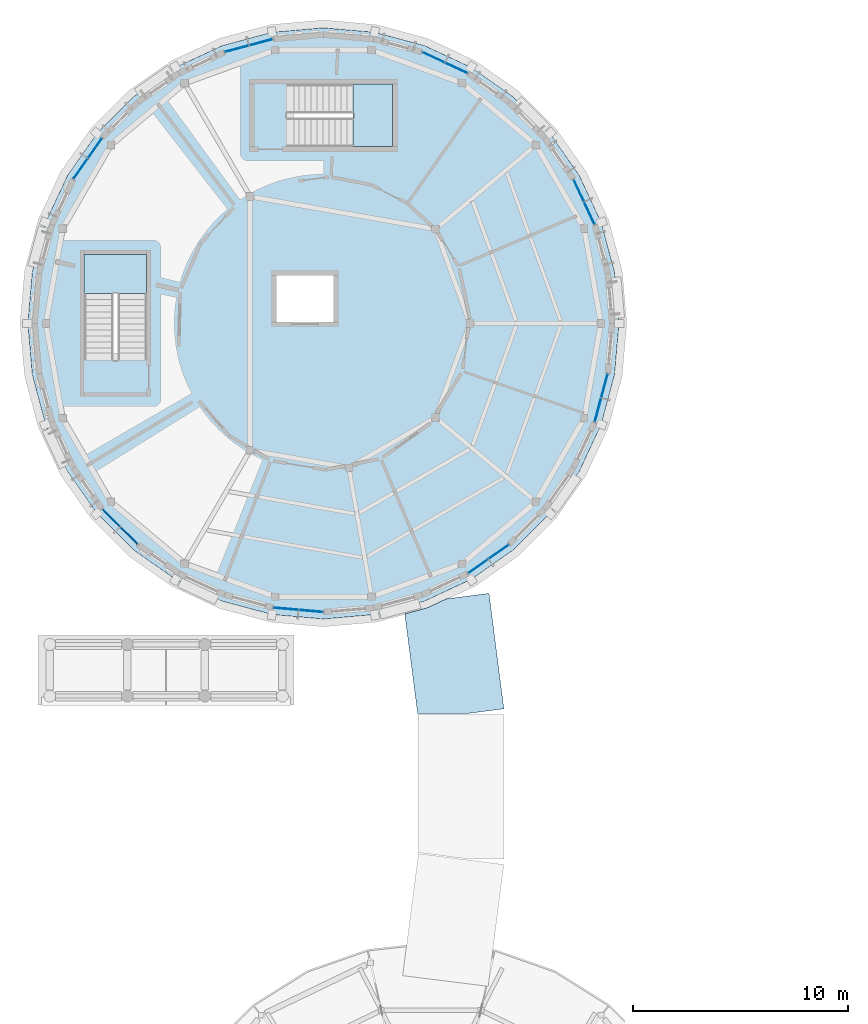
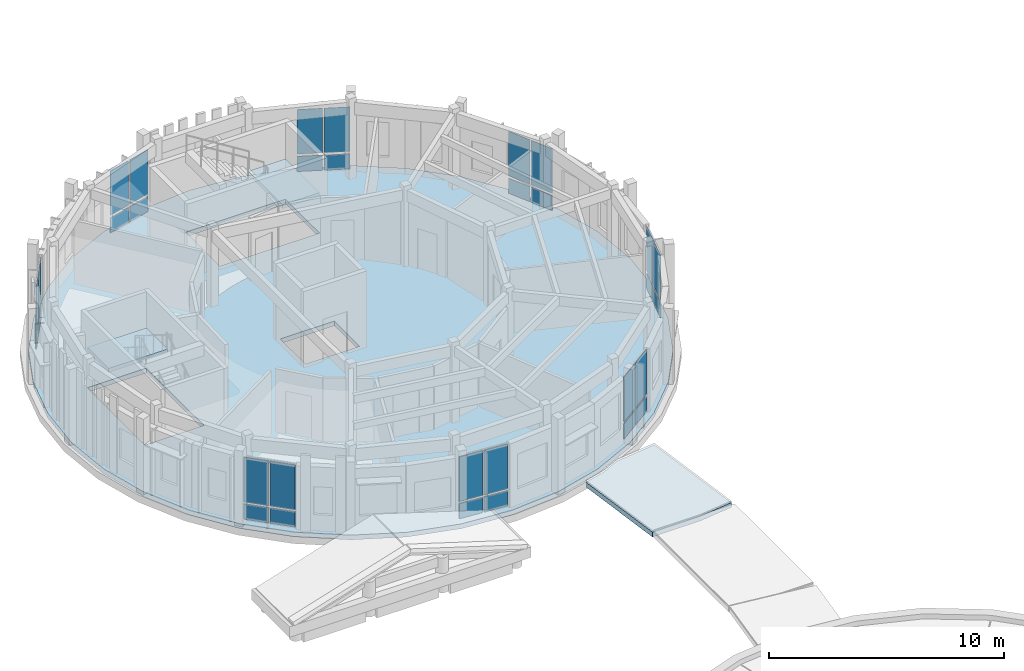
# One storey, part 23 of 58: 32 plates, 4 slabs, 10 elements without a shape of their own.
"""IFC4 building model written with IfcOpenShell, lengths in metres."""

from ifc_helpers import new_model, si_unit, direction, frame, origin, origin_2d, place, context, subcontext, project, spatial, polyline, rectangle, outline, extrude, material, layer, layer_set, type_object, element, aggregate, save


model = new_model("IFC4")

# Units and contexts
model_context = context("Model", 3, precision=1e-05, world=origin(), true_north=direction((0.0, 1.0)))
body_context = subcontext(model_context, "Body", "Model", "MODEL_VIEW")
ifc_project = project(units=[si_unit("LENGTHUNIT", "METRE"), si_unit("AREAUNIT", "SQUARE_METRE"), si_unit("VOLUMEUNIT", "CUBIC_METRE"), si_unit("PLANEANGLEUNIT", "RADIAN"), si_unit("MASSUNIT", "GRAM", prefix="KILO")], contexts=[model_context])

# Site, building, storey
site_placement = place(None, origin())
site = spatial("IfcSite", under=ifc_project, at=site_placement, CompositionType="ELEMENT")
building_placement = place(site_placement, origin())
building = spatial("IfcBuilding", under=site, at=building_placement, Name="Aldenvaro Health Centre", CompositionType="ELEMENT")
storey_placement = place(building_placement, frame((0.0, 0.0, 8.75)))
storey = spatial("IfcBuildingStorey", under=building, at=storey_placement, Name="L02", CompositionType="ELEMENT", Elevation=8.75)

# Curtain wall, plates
ifc_material_1 = material(Name="Anodised Aluminium 6063-T6", Category="aluminium")
ifc_layer_1 = layer(ifc_material_1, 0.195068359375, Name="Anodised Aluminium 6063-T6", Category="aluminium")
ifc_layer_set_1 = layer_set([ifc_layer_1], Name="Anodised Aluminium 6063-T6")
curtain_wall_type = type_object("IfcCurtainWallType", Name="CW-CLN-02", PredefinedType="NOTDEFINED", material=ifc_layer_set_1)
curtain_wall_1_placement = place(storey_placement, origin())
curtain_wall_1 = element("IfcCurtainWall", 1, at=curtain_wall_1_placement, inside=storey, type_object=curtain_wall_type, Name="D4 L02 curtain wall bay 02", PredefinedType="NOTDEFINED")
ifc_material_2 = material(Name="Low-E Double Glazing IGU", Category="glass")
ifc_layer_2 = layer(ifc_material_2, 0.028076171875, Name="Low-E Double Glazing IGU", Category="glass")
ifc_layer_set_2 = layer_set([ifc_layer_2], Name="Low-E Double Glazing IGU")
plate_type_1 = type_object("IfcPlateType", Name="CWP-IGU-28", PredefinedType="CURTAIN_PANEL", material=ifc_layer_set_2)
plate_1_placement = place(storey_placement, frame((31.544921875, 96.60888671875, 0.96044921875), z_axis=(0.0, 0.0, 1.0), x_axis=(-0.258621935517, -0.965978620089, 0.0)))
plate_1 = element("IfcPlate", 2, at=plate_1_placement, type_object=plate_type_1, Name="D4 L02 curtain wall bay 02 vision glazing 1", PredefinedType="CURTAIN_PANEL", context=body_context, shape_type="SweptSolid", body=[
    extrude(rectangle(XDim=1.097900390625, YDim=0.028076171875, at=origin_2d()), origin(), (0.0, 0.0, 1.0), 2.30908203125),
])
plate_2_placement = place(storey_placement, frame((31.242919921875, 95.48095703125, 0.96044921875), z_axis=(0.0, 0.0, 1.0), x_axis=(-0.258621935517, -0.965978620089, 0.0)))
plate_2 = element("IfcPlate", 3, at=plate_2_placement, type_object=plate_type_1, Name="D4 L02 curtain wall bay 02 vision glazing 2", PredefinedType="CURTAIN_PANEL", context=body_context, shape_type="SweptSolid", body=[
    extrude(rectangle(XDim=1.097900390625, YDim=0.028076171875, at=origin_2d()), origin(), (0.0, 0.0, 1.0), 2.30908203125),
])

curtain_wall_2_placement = place(storey_placement, origin())
curtain_wall_2 = element("IfcCurtainWall", 4, at=curtain_wall_2_placement, inside=storey, type_object=curtain_wall_type, Name="D4 L02 curtain wall bay 06", PredefinedType="NOTDEFINED")
plate_3_placement = place(storey_placement, frame((26.635009765625, 88.89990234375, 0.96044921875), z_axis=(0.0, 0.0, 1.0), x_axis=(-0.819050849853, -0.573720929857, 0.0)))
plate_3 = element("IfcPlate", 5, at=plate_3_placement, type_object=plate_type_1, Name="D4 L02 curtain wall bay 06 vision glazing 1", PredefinedType="CURTAIN_PANEL", context=body_context, shape_type="SweptSolid", body=[
    extrude(rectangle(XDim=1.097900390625, YDim=0.028076171875, at=origin_2d()), origin(), (0.0, 0.0, 1.0), 2.30908203125),
])
plate_4_placement = place(storey_placement, frame((25.677978515625, 88.22998046875, 0.96044921875), z_axis=(0.0, 0.0, 1.0), x_axis=(-0.819050849853, -0.573720929857, 0.0)))
plate_4 = element("IfcPlate", 6, at=plate_4_placement, type_object=plate_type_1, Name="D4 L02 curtain wall bay 06 vision glazing 2", PredefinedType="CURTAIN_PANEL", context=body_context, shape_type="SweptSolid", body=[
    extrude(rectangle(XDim=1.097900390625, YDim=0.028076171875, at=origin_2d()), origin(), (0.0, 0.0, 1.0), 2.30908203125),
])

curtain_wall_3_placement = place(storey_placement, origin())
curtain_wall_3 = element("IfcCurtainWall", 7, at=curtain_wall_3_placement, inside=storey, type_object=curtain_wall_type, Name="D4 L02 curtain wall bay 10", PredefinedType="NOTDEFINED")
plate_5_placement = place(storey_placement, frame((17.91796875, 86.15087890625, 0.96044921875), z_axis=(0.0, 0.0, 1.0), x_axis=(-0.996179299052, 0.087331575855, 0.0)))
plate_5 = element("IfcPlate", 8, at=plate_5_placement, type_object=plate_type_1, Name="D4 L02 curtain wall bay 10 vision glazing 1", PredefinedType="CURTAIN_PANEL", context=body_context, shape_type="SweptSolid", body=[
    extrude(rectangle(XDim=1.097900390625, YDim=0.028076171875, at=origin_2d()), origin(), (0.0, 0.0, 1.0), 2.30908203125),
])
plate_6_placement = place(storey_placement, frame((16.7548828125, 86.2529296875, 0.96044921875), z_axis=(0.0, 0.0, 1.0), x_axis=(-0.996179299052, 0.087331575855, 0.0)))
plate_6 = element("IfcPlate", 9, at=plate_6_placement, type_object=plate_type_1, Name="D4 L02 curtain wall bay 10 vision glazing 2", PredefinedType="CURTAIN_PANEL", context=body_context, shape_type="SweptSolid", body=[
    extrude(rectangle(XDim=1.097900390625, YDim=0.028076171875, at=origin_2d()), origin(), (0.0, 0.0, 1.0), 2.30908203125),
])

curtain_wall_4_placement = place(storey_placement, origin())
curtain_wall_4 = element("IfcCurtainWall", 10, at=curtain_wall_4_placement, inside=storey, type_object=curtain_wall_type, Name="D4 L02 curtain wall bay 14", PredefinedType="NOTDEFINED")
plate_7_placement = place(storey_placement, frame((9.47412109375, 89.64794921875, 0.96044921875), z_axis=(0.0, 0.0, 1.0), x_axis=(-0.707106781187, 0.707106781187, 0.0)))
plate_7 = element("IfcPlate", 11, at=plate_7_placement, type_object=plate_type_1, Name="D4 L02 curtain wall bay 14 vision glazing 1", PredefinedType="CURTAIN_PANEL", context=body_context, shape_type="SweptSolid", body=[
    extrude(rectangle(XDim=1.097900390625, YDim=0.028076171875, at=origin_2d()), origin(), (0.0, 0.0, 1.0), 2.30908203125),
])
plate_8_placement = place(storey_placement, frame((8.64794921875, 90.47412109375, 0.96044921875), z_axis=(0.0, 0.0, 1.0), x_axis=(-0.707106781187, 0.707106781187, 0.0)))
plate_8 = element("IfcPlate", 12, at=plate_8_placement, type_object=plate_type_1, Name="D4 L02 curtain wall bay 14 vision glazing 2", PredefinedType="CURTAIN_PANEL", context=body_context, shape_type="SweptSolid", body=[
    extrude(rectangle(XDim=1.097900390625, YDim=0.028076171875, at=origin_2d()), origin(), (0.0, 0.0, 1.0), 2.30908203125),
])

curtain_wall_5_placement = place(storey_placement, origin())
curtain_wall_5 = element("IfcCurtainWall", 13, at=curtain_wall_5_placement, inside=storey, type_object=curtain_wall_type, Name="D4 L02 curtain wall bay 22", PredefinedType="NOTDEFINED")
plate_9_placement = place(storey_placement, frame((7.22998046875, 106.677978515625, 0.96044921875), z_axis=(0.0, 0.0, 1.0), x_axis=(0.573720929857, 0.819050849853, 0.0)))
plate_9 = element("IfcPlate", 14, at=plate_9_placement, type_object=plate_type_1, Name="D4 L02 curtain wall bay 22 vision glazing 1", PredefinedType="CURTAIN_PANEL", context=body_context, shape_type="SweptSolid", body=[
    extrude(rectangle(XDim=1.097900390625, YDim=0.028076171875, at=origin_2d()), origin(), (0.0, 0.0, 1.0), 2.30908203125),
])
plate_10_placement = place(storey_placement, frame((7.89990234375, 107.635009765625, 0.96044921875), z_axis=(0.0, 0.0, 1.0), x_axis=(0.573720929857, 0.819050849853, 0.0)))
plate_10 = element("IfcPlate", 15, at=plate_10_placement, type_object=plate_type_1, Name="D4 L02 curtain wall bay 22 vision glazing 2", PredefinedType="CURTAIN_PANEL", context=body_context, shape_type="SweptSolid", body=[
    extrude(rectangle(XDim=1.097900390625, YDim=0.028076171875, at=origin_2d()), origin(), (0.0, 0.0, 1.0), 2.30908203125),
])

curtain_wall_6_placement = place(storey_placement, origin())
curtain_wall_6 = element("IfcCurtainWall", 16, at=curtain_wall_6_placement, inside=storey, type_object=curtain_wall_type, Name="D4 L02 curtain wall bay 26", PredefinedType="NOTDEFINED")
plate_11_placement = place(storey_placement, frame((14.48095703125, 112.242919921875, 0.96044921875), z_axis=(0.0, 0.0, 1.0), x_axis=(0.965978620089, 0.258621935517, 0.0)))
plate_11 = element("IfcPlate", 17, at=plate_11_placement, type_object=plate_type_1, Name="D4 L02 curtain wall bay 26 vision glazing 1", PredefinedType="CURTAIN_PANEL", context=body_context, shape_type="SweptSolid", body=[
    extrude(rectangle(XDim=1.097900390625, YDim=0.028076171875, at=origin_2d()), origin(), (0.0, 0.0, 1.0), 2.30908203125),
])
plate_12_placement = place(storey_placement, frame((15.60888671875, 112.544921875, 0.96044921875), z_axis=(0.0, 0.0, 1.0), x_axis=(0.965978620089, 0.258621935517, 0.0)))
plate_12 = element("IfcPlate", 18, at=plate_12_placement, type_object=plate_type_1, Name="D4 L02 curtain wall bay 26 vision glazing 2", PredefinedType="CURTAIN_PANEL", context=body_context, shape_type="SweptSolid", body=[
    extrude(rectangle(XDim=1.097900390625, YDim=0.028076171875, at=origin_2d()), origin(), (0.0, 0.0, 1.0), 2.30908203125),
])

curtain_wall_7_placement = place(storey_placement, origin())
curtain_wall_7 = element("IfcCurtainWall", 19, at=curtain_wall_7_placement, inside=storey, type_object=curtain_wall_type, Name="D4 L02 curtain wall bay 30", PredefinedType="NOTDEFINED")
plate_13_placement = place(storey_placement, frame((23.612060546875, 111.844970703125, 0.96044921875), z_axis=(0.0, 0.0, 1.0), x_axis=(0.90633620484, -0.422557314215, 0.0)))
plate_13 = element("IfcPlate", 20, at=plate_13_placement, type_object=plate_type_1, Name="D4 L02 curtain wall bay 30 vision glazing 1", PredefinedType="CURTAIN_PANEL", context=body_context, shape_type="SweptSolid", body=[
    extrude(rectangle(XDim=1.097900390625, YDim=0.028076171875, at=origin_2d()), origin(), (0.0, 0.0, 1.0), 2.30908203125),
])
plate_14_placement = place(storey_placement, frame((24.6708984375, 111.35205078125, 0.96044921875), z_axis=(0.0, 0.0, 1.0), x_axis=(0.90633620484, -0.422557314215, 0.0)))
plate_14 = element("IfcPlate", 21, at=plate_14_placement, type_object=plate_type_1, Name="D4 L02 curtain wall bay 30 vision glazing 2", PredefinedType="CURTAIN_PANEL", context=body_context, shape_type="SweptSolid", body=[
    extrude(rectangle(XDim=1.097900390625, YDim=0.028076171875, at=origin_2d()), origin(), (0.0, 0.0, 1.0), 2.30908203125),
])

curtain_wall_8_placement = place(storey_placement, origin())
curtain_wall_8 = element("IfcCurtainWall", 22, at=curtain_wall_8_placement, inside=storey, type_object=curtain_wall_type, Name="D4 L02 curtain wall bay 34", PredefinedType="NOTDEFINED")
plate_15_placement = place(storey_placement, frame((30.35205078125, 105.6708984375, 0.96044921875), z_axis=(0.0, 0.0, 1.0), x_axis=(0.422557314215, -0.90633620484, 0.0)))
plate_15 = element("IfcPlate", 23, at=plate_15_placement, type_object=plate_type_1, Name="D4 L02 curtain wall bay 34 vision glazing 1", PredefinedType="CURTAIN_PANEL", context=body_context, shape_type="SweptSolid", body=[
    extrude(rectangle(XDim=1.097900390625, YDim=0.028076171875, at=origin_2d()), origin(), (0.0, 0.0, 1.0), 2.30908203125),
])
plate_16_placement = place(storey_placement, frame((30.844970703125, 104.612060546875, 0.96044921875), z_axis=(0.0, 0.0, 1.0), x_axis=(0.422557314215, -0.90633620484, 0.0)))
plate_16 = element("IfcPlate", 24, at=plate_16_placement, type_object=plate_type_1, Name="D4 L02 curtain wall bay 34 vision glazing 2", PredefinedType="CURTAIN_PANEL", context=body_context, shape_type="SweptSolid", body=[
    extrude(rectangle(XDim=1.097900390625, YDim=0.028076171875, at=origin_2d()), origin(), (0.0, 0.0, 1.0), 2.30908203125),
])

# Plate
ifc_material_3 = material(Name="Insulated Aluminium Spandrel", Category="aluminium")
ifc_layer_3 = layer(ifc_material_3, 0.035888671875, Name="Insulated Aluminium Spandrel", Category="aluminium")
ifc_layer_set_3 = layer_set([ifc_layer_3], Name="Insulated Aluminium Spandrel")
plate_type_2 = type_object("IfcPlateType", Name="CWP-SPN-36", PredefinedType="CURTAIN_PANEL", material=ifc_layer_set_3)
plate_17_placement = place(storey_placement, frame((31.544921875, 96.60888671875, 0.06005859375), z_axis=(0.0, 0.0, 1.0), x_axis=(-0.258621935517, -0.965978620089, 0.0)))
plate_17 = element("IfcPlate", 25, at=plate_17_placement, type_object=plate_type_2, Name="D4 L02 curtain wall bay 02 spandrel panel 1", PredefinedType="CURTAIN_PANEL", context=body_context, shape_type="SweptSolid", body=[
    extrude(rectangle(XDim=1.097900390625, YDim=0.035888671875, at=origin_2d()), origin(), (0.0, 0.0, 1.0), 0.780029296875),
])

plate_18_placement = place(storey_placement, frame((31.242919921875, 95.48095703125, 0.06005859375), z_axis=(0.0, 0.0, 1.0), x_axis=(-0.258621935517, -0.965978620089, 0.0)))
plate_18 = element("IfcPlate", 26, at=plate_18_placement, type_object=plate_type_2, Name="D4 L02 curtain wall bay 02 spandrel panel 2", PredefinedType="CURTAIN_PANEL", context=body_context, shape_type="SweptSolid", body=[
    extrude(rectangle(XDim=1.097900390625, YDim=0.035888671875, at=origin_2d()), origin(), (0.0, 0.0, 1.0), 0.780029296875),
])

aggregate(curtain_wall_1, [plate_17, plate_1, plate_18, plate_2])

plate_19_placement = place(storey_placement, frame((26.635009765625, 88.89990234375, 0.06005859375), z_axis=(0.0, 0.0, 1.0), x_axis=(-0.819050849853, -0.573720929857, 0.0)))
plate_19 = element("IfcPlate", 27, at=plate_19_placement, type_object=plate_type_2, Name="D4 L02 curtain wall bay 06 spandrel panel 1", PredefinedType="CURTAIN_PANEL", context=body_context, shape_type="SweptSolid", body=[
    extrude(rectangle(XDim=1.097900390625, YDim=0.035888671875, at=origin_2d()), origin(), (0.0, 0.0, 1.0), 0.780029296875),
])

plate_20_placement = place(storey_placement, frame((25.677978515625, 88.22998046875, 0.06005859375), z_axis=(0.0, 0.0, 1.0), x_axis=(-0.819050849853, -0.573720929857, 0.0)))
plate_20 = element("IfcPlate", 28, at=plate_20_placement, type_object=plate_type_2, Name="D4 L02 curtain wall bay 06 spandrel panel 2", PredefinedType="CURTAIN_PANEL", context=body_context, shape_type="SweptSolid", body=[
    extrude(rectangle(XDim=1.097900390625, YDim=0.035888671875, at=origin_2d()), origin(), (0.0, 0.0, 1.0), 0.780029296875),
])

aggregate(curtain_wall_2, [plate_19, plate_3, plate_20, plate_4])

plate_21_placement = place(storey_placement, frame((17.91796875, 86.15087890625, 0.06005859375), z_axis=(0.0, 0.0, 1.0), x_axis=(-0.996179299052, 0.087331575855, 0.0)))
plate_21 = element("IfcPlate", 29, at=plate_21_placement, type_object=plate_type_2, Name="D4 L02 curtain wall bay 10 spandrel panel 1", PredefinedType="CURTAIN_PANEL", context=body_context, shape_type="SweptSolid", body=[
    extrude(rectangle(XDim=1.097900390625, YDim=0.035888671875, at=origin_2d()), origin(), (0.0, 0.0, 1.0), 0.780029296875),
])

plate_22_placement = place(storey_placement, frame((16.7548828125, 86.2529296875, 0.06005859375), z_axis=(0.0, 0.0, 1.0), x_axis=(-0.996179299052, 0.087331575855, 0.0)))
plate_22 = element("IfcPlate", 30, at=plate_22_placement, type_object=plate_type_2, Name="D4 L02 curtain wall bay 10 spandrel panel 2", PredefinedType="CURTAIN_PANEL", context=body_context, shape_type="SweptSolid", body=[
    extrude(rectangle(XDim=1.097900390625, YDim=0.035888671875, at=origin_2d()), origin(), (0.0, 0.0, 1.0), 0.780029296875),
])

aggregate(curtain_wall_3, [plate_21, plate_5, plate_22, plate_6])

plate_23_placement = place(storey_placement, frame((9.47412109375, 89.64794921875, 0.06005859375), z_axis=(0.0, 0.0, 1.0), x_axis=(-0.707106781187, 0.707106781187, 0.0)))
plate_23 = element("IfcPlate", 31, at=plate_23_placement, type_object=plate_type_2, Name="D4 L02 curtain wall bay 14 spandrel panel 1", PredefinedType="CURTAIN_PANEL", context=body_context, shape_type="SweptSolid", body=[
    extrude(rectangle(XDim=1.097900390625, YDim=0.035888671875, at=origin_2d()), origin(), (0.0, 0.0, 1.0), 0.780029296875),
])

plate_24_placement = place(storey_placement, frame((8.64794921875, 90.47412109375, 0.06005859375), z_axis=(0.0, 0.0, 1.0), x_axis=(-0.707106781187, 0.707106781187, 0.0)))
plate_24 = element("IfcPlate", 32, at=plate_24_placement, type_object=plate_type_2, Name="D4 L02 curtain wall bay 14 spandrel panel 2", PredefinedType="CURTAIN_PANEL", context=body_context, shape_type="SweptSolid", body=[
    extrude(rectangle(XDim=1.097900390625, YDim=0.035888671875, at=origin_2d()), origin(), (0.0, 0.0, 1.0), 0.780029296875),
])

aggregate(curtain_wall_4, [plate_23, plate_7, plate_24, plate_8])

plate_25_placement = place(storey_placement, frame((7.22998046875, 106.677978515625, 0.06005859375), z_axis=(0.0, 0.0, 1.0), x_axis=(0.573720929857, 0.819050849853, 0.0)))
plate_25 = element("IfcPlate", 33, at=plate_25_placement, type_object=plate_type_2, Name="D4 L02 curtain wall bay 22 spandrel panel 1", PredefinedType="CURTAIN_PANEL", context=body_context, shape_type="SweptSolid", body=[
    extrude(rectangle(XDim=1.097900390625, YDim=0.035888671875, at=origin_2d()), origin(), (0.0, 0.0, 1.0), 0.780029296875),
])

plate_26_placement = place(storey_placement, frame((7.89990234375, 107.635009765625, 0.06005859375), z_axis=(0.0, 0.0, 1.0), x_axis=(0.573720929857, 0.819050849853, 0.0)))
plate_26 = element("IfcPlate", 34, at=plate_26_placement, type_object=plate_type_2, Name="D4 L02 curtain wall bay 22 spandrel panel 2", PredefinedType="CURTAIN_PANEL", context=body_context, shape_type="SweptSolid", body=[
    extrude(rectangle(XDim=1.097900390625, YDim=0.035888671875, at=origin_2d()), origin(), (0.0, 0.0, 1.0), 0.780029296875),
])

aggregate(curtain_wall_5, [plate_25, plate_9, plate_26, plate_10])

plate_27_placement = place(storey_placement, frame((14.48095703125, 112.242919921875, 0.06005859375), z_axis=(0.0, 0.0, 1.0), x_axis=(0.965978620089, 0.258621935517, 0.0)))
plate_27 = element("IfcPlate", 35, at=plate_27_placement, type_object=plate_type_2, Name="D4 L02 curtain wall bay 26 spandrel panel 1", PredefinedType="CURTAIN_PANEL", context=body_context, shape_type="SweptSolid", body=[
    extrude(rectangle(XDim=1.097900390625, YDim=0.035888671875, at=origin_2d()), origin(), (0.0, 0.0, 1.0), 0.780029296875),
])

plate_28_placement = place(storey_placement, frame((15.60888671875, 112.544921875, 0.06005859375), z_axis=(0.0, 0.0, 1.0), x_axis=(0.965978620089, 0.258621935517, 0.0)))
plate_28 = element("IfcPlate", 36, at=plate_28_placement, type_object=plate_type_2, Name="D4 L02 curtain wall bay 26 spandrel panel 2", PredefinedType="CURTAIN_PANEL", context=body_context, shape_type="SweptSolid", body=[
    extrude(rectangle(XDim=1.097900390625, YDim=0.035888671875, at=origin_2d()), origin(), (0.0, 0.0, 1.0), 0.780029296875),
])

aggregate(curtain_wall_6, [plate_27, plate_11, plate_28, plate_12])

plate_29_placement = place(storey_placement, frame((23.612060546875, 111.844970703125, 0.06005859375), z_axis=(0.0, 0.0, 1.0), x_axis=(0.90633620484, -0.422557314215, 0.0)))
plate_29 = element("IfcPlate", 37, at=plate_29_placement, type_object=plate_type_2, Name="D4 L02 curtain wall bay 30 spandrel panel 1", PredefinedType="CURTAIN_PANEL", context=body_context, shape_type="SweptSolid", body=[
    extrude(rectangle(XDim=1.097900390625, YDim=0.035888671875, at=origin_2d()), origin(), (0.0, 0.0, 1.0), 0.780029296875),
])

plate_30_placement = place(storey_placement, frame((24.6708984375, 111.35205078125, 0.06005859375), z_axis=(0.0, 0.0, 1.0), x_axis=(0.90633620484, -0.422557314215, 0.0)))
plate_30 = element("IfcPlate", 38, at=plate_30_placement, type_object=plate_type_2, Name="D4 L02 curtain wall bay 30 spandrel panel 2", PredefinedType="CURTAIN_PANEL", context=body_context, shape_type="SweptSolid", body=[
    extrude(rectangle(XDim=1.097900390625, YDim=0.035888671875, at=origin_2d()), origin(), (0.0, 0.0, 1.0), 0.780029296875),
])

aggregate(curtain_wall_7, [plate_29, plate_13, plate_30, plate_14])

plate_31_placement = place(storey_placement, frame((30.35205078125, 105.6708984375, 0.06005859375), z_axis=(0.0, 0.0, 1.0), x_axis=(0.422557314215, -0.90633620484, 0.0)))
plate_31 = element("IfcPlate", 39, at=plate_31_placement, type_object=plate_type_2, Name="D4 L02 curtain wall bay 34 spandrel panel 1", PredefinedType="CURTAIN_PANEL", context=body_context, shape_type="SweptSolid", body=[
    extrude(rectangle(XDim=1.097900390625, YDim=0.035888671875, at=origin_2d()), origin(), (0.0, 0.0, 1.0), 0.780029296875),
])

plate_32_placement = place(storey_placement, frame((30.844970703125, 104.612060546875, 0.06005859375), z_axis=(0.0, 0.0, 1.0), x_axis=(0.422557314215, -0.90633620484, 0.0)))
plate_32 = element("IfcPlate", 40, at=plate_32_placement, type_object=plate_type_2, Name="D4 L02 curtain wall bay 34 spandrel panel 2", PredefinedType="CURTAIN_PANEL", context=body_context, shape_type="SweptSolid", body=[
    extrude(rectangle(XDim=1.097900390625, YDim=0.035888671875, at=origin_2d()), origin(), (0.0, 0.0, 1.0), 0.780029296875),
])

aggregate(curtain_wall_8, [plate_31, plate_15, plate_32, plate_16])

# Slab
ifc_material_4 = material(Name="Cross-laminated timber CLT E1", Category="wood")
ifc_layer_4 = layer(ifc_material_4, 0.2451171875, Name="Cross-laminated timber CLT E1", Category="wood")
ifc_layer_set_4 = layer_set([ifc_layer_4], Name="Cross-laminated timber CLT E1")
slab_type_1 = type_object("IfcSlabType", Name="SLB-CLT-245", PredefinedType="FLOOR", material=ifc_layer_set_4)
slab_1_placement = place(storey_placement, frame((0.0, 0.0, -0.2451171875)))
element("IfcSlab", 41, at=slab_1_placement, inside=storey, type_object=slab_type_1, Name="D4 L02 floor slab", PredefinedType="FLOOR", context=body_context, shape_type="SweptSolid", body=[
    extrude(outline(polyline([(32.219970703125, 99.5), (32.011962890625, 101.882080078125), (31.39306640625, 104.193115234375), (30.382080078125, 106.360107421875), (29.010009765625, 108.319091796875), (27.319091796875, 110.010009765625), (25.360107421875, 111.382080078125), (23.193115234375, 112.39306640625), (20.882080078125, 113.011962890625), (18.5, 113.219970703125), (16.117919921875, 113.011962890625), (13.806884765625, 112.39306640625), (11.639892578125, 111.382080078125), (9.680908203125, 110.010009765625), (7.989990234375, 108.319091796875), (6.617919921875, 106.360107421875), (5.60693359375, 104.193115234375), (4.988037109375, 101.882080078125), (4.780029296875, 99.5), (4.988037109375, 97.117919921875), (5.60693359375, 94.806884765625), (6.617919921875, 92.639892578125), (7.989990234375, 90.680908203125), (9.680908203125, 88.989990234375), (11.639892578125, 87.617919921875), (13.806884765625, 86.60693359375), (16.117919921875, 85.988037109375), (18.5, 85.780029296875), (20.882080078125, 85.988037109375), (23.193115234375, 86.60693359375), (25.360107421875, 87.617919921875), (27.319091796875, 88.989990234375), (29.010009765625, 90.680908203125), (30.382080078125, 92.639892578125), (31.39306640625, 94.806884765625), (32.011962890625, 97.117919921875), (32.219970703125, 99.5)]), holes=[polyline([(16.800048828125, 107.699951171875), (21.699951171875, 107.699951171875), (21.699951171875, 110.60009765625), (16.800048828125, 110.60009765625), (16.800048828125, 107.699951171875)]), polyline([(10.300048828125, 97.800048828125), (10.300048828125, 102.699951171875), (7.39990234375, 102.699951171875), (7.39990234375, 97.800048828125), (10.300048828125, 97.800048828125)]), polyline([(16.324951171875, 99.574951171875), (18.97509765625, 99.574951171875), (18.97509765625, 101.72509765625), (16.324951171875, 101.72509765625), (16.324951171875, 99.574951171875)])]), origin(), (0.0, 0.0, 1.0), 0.2451171875),
])

# Stair, slab
ifc_material_5 = material(Name="Concrete f'c 40 MPa", Category="concrete")
stair_type = type_object("IfcStairType", Name="STR-DOG-420", PredefinedType="HALF_TURN_STAIR", material=ifc_material_5)
stair_1_placement = place(storey_placement, origin())
stair_1 = element("IfcStair", 42, at=stair_1_placement, inside=storey, type_object=stair_type, Name="L02 Exit Stair ST-07", PredefinedType="HALF_TURN_STAIR")
ifc_layer_5 = layer(ifc_material_5, 0.199951171875, Name="Concrete f'c 40 MPa", Category="concrete")
ifc_layer_set_5 = layer_set([ifc_layer_5], Name="Concrete f'c 40 MPa")
slab_type_2 = type_object("IfcSlabType", Name="SLB-LND-200", PredefinedType="LANDING", material=ifc_layer_set_5)
slab_2_placement = place(storey_placement, frame((0.0, 0.0, 1.89990234375)))
slab_2 = element("IfcSlab", 43, at=slab_2_placement, type_object=slab_type_2, Name="ST-07 landing 1", PredefinedType="LANDING", context=body_context, shape_type="SweptSolid", body=[
    extrude(outline(polyline([(19.8798828125, 107.699951171875), (21.699951171875, 107.699951171875), (21.699951171875, 110.60009765625), (19.8798828125, 110.60009765625), (19.8798828125, 107.699951171875)])), origin(), (0.0, 0.0, 1.0), 0.2001953125),
])
aggregate(stair_1, [slab_2])

stair_2_placement = place(storey_placement, origin())
stair_2 = element("IfcStair", 44, at=stair_2_placement, inside=storey, type_object=stair_type, Name="L02 Exit Stair ST-08", PredefinedType="HALF_TURN_STAIR")
slab_3_placement = place(storey_placement, frame((0.0, 0.0, 1.89990234375)))
slab_3 = element("IfcSlab", 45, at=slab_3_placement, type_object=slab_type_2, Name="ST-08 landing 1", PredefinedType="LANDING", context=body_context, shape_type="SweptSolid", body=[
    extrude(outline(polyline([(10.300048828125, 100.8798828125), (10.300048828125, 102.699951171875), (7.39990234375, 102.699951171875), (7.39990234375, 100.8798828125), (10.300048828125, 100.8798828125)])), origin(), (0.0, 0.0, 1.0), 0.2001953125),
])
aggregate(stair_2, [slab_3])

# Slab
ifc_layer_6 = layer(ifc_material_5, 0.25, Name="Concrete f'c 40 MPa", Category="concrete")
ifc_layer_set_6 = layer_set([ifc_layer_6], Name="Concrete f'c 40 MPa")
slab_type_3 = type_object("IfcSlabType", Name="SLB-ROOF-250", PredefinedType="ROOF", material=ifc_layer_set_6)
slab_4_placement = place(storey_placement, frame((0.0, 0.0, -0.25)))
element("IfcSlab", 46, at=slab_4_placement, inside=storey, type_object=slab_type_3, Name="West North Curved Garden Walkway Arc 3 roof slab", PredefinedType="ROOF", context=body_context, shape_type="SweptSolid", body=[
    extrude(outline(polyline([(26.18603515625, 86.970947265625), (26.876953125, 81.613037109375), (25.202880859375, 81.39697265625), (22.87109375, 81.39697265625), (22.27587890625, 86.02099609375), (23.304931640625, 86.297119140625), (24.202880859375, 86.716064453125), (26.18603515625, 86.970947265625)])), origin(), (0.0, 0.0, 1.0), 0.25),
])

save(model, "model.ifc")
